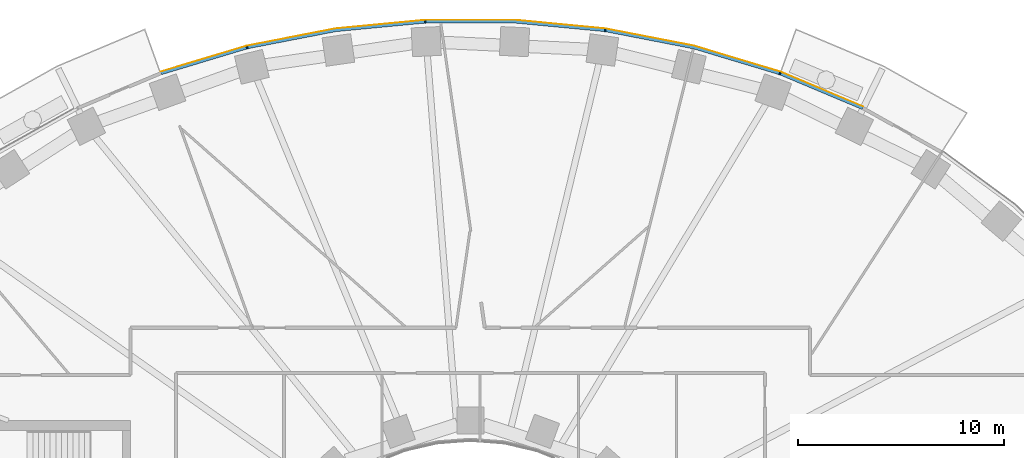
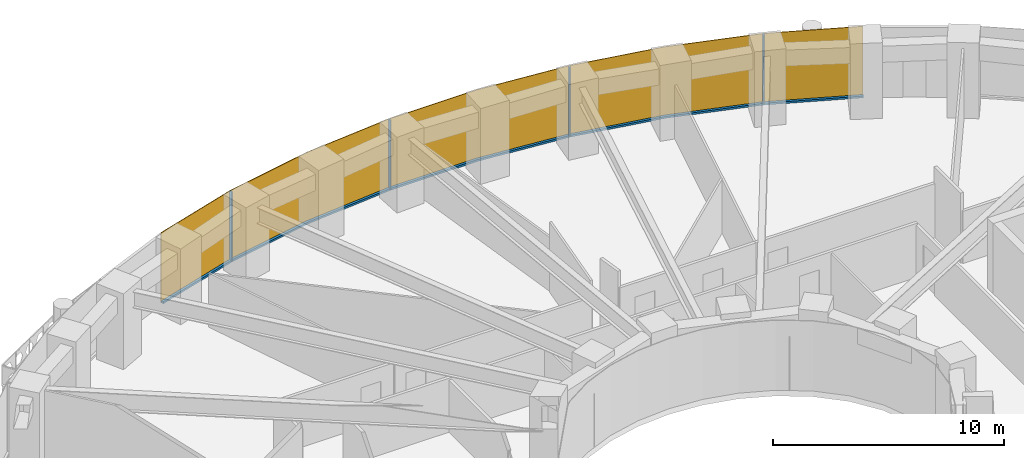
# One storey, part 12 of 15: 9 members, 1 curtain wall.
"""IFC4 building model written with IfcOpenShell, lengths in metres."""

from ifc_helpers import new_model, si_unit, direction, frame, origin, origin_2d, place, context, subcontext, project, spatial, polyline, rectangle, outline, extrude, material, layer, layer_set, material_profile, profile_set, type_object, element, aggregate, save


model = new_model("IFC4")

# Units and contexts
model_context = context("Model", 3, precision=1e-05, world=origin(), true_north=direction((0.0, 1.0)))
body_context = subcontext(model_context, "Body", "Model", "MODEL_VIEW")
ifc_project = project(units=[si_unit("LENGTHUNIT", "METRE"), si_unit("AREAUNIT", "SQUARE_METRE"), si_unit("VOLUMEUNIT", "CUBIC_METRE"), si_unit("PLANEANGLEUNIT", "RADIAN"), si_unit("MASSUNIT", "GRAM", prefix="KILO")], contexts=[model_context])

# Member
ifc_material_1 = material(Name="Aluminium 6063-T6 black anodised", Category="aluminium")
ifc_material_profile = material_profile(ifc_material_1, rectangle(XDim=0.1201171875, YDim=0.06005859375, at=origin_2d()), Name="120x60")
ifc_profile_set = profile_set([ifc_material_profile], Name="Aluminium 6063-T6 black anodised")
member_type_1 = type_object("IfcMemberType", Name="ENV-MULLION-A-120", PredefinedType="MULLION", material=ifc_profile_set)
site_placement = place(None, origin())
building_placement = place(site_placement, origin())
storey_placement = place(building_placement, frame((0.0, 0.0, 62.5)))
member_1_placement = place(storey_placement, frame((15.0341796875, 25.34375, 0.0), z_axis=(0.0, 0.0, 1.0), x_axis=(-0.338379256581, -0.941009818608, 0.0)))
member_1 = element("IfcMember", 1, at=member_1_placement, type_object=member_type_1, Name="Mullion A radial 09", PredefinedType="MULLION", context=body_context, shape_type="SweptSolid", body=[
    extrude(rectangle(XDim=0.1201171875, YDim=0.06005859375, at=origin_2d()), origin(), (0.0, 0.0, 1.0), 3.699951171875),
])

member_2_placement = place(storey_placement, frame((6.54638671875, 27.440185546875, 0.0), z_axis=(0.0, 0.0, 1.0), x_axis=(-0.143082012705, -0.989710835366, 0.0)))
member_2 = element("IfcMember", 2, at=member_2_placement, type_object=member_type_1, Name="Mullion A radial 11", PredefinedType="MULLION", context=body_context, shape_type="SweptSolid", body=[
    extrude(rectangle(XDim=0.1201171875, YDim=0.06005859375, at=origin_2d()), origin(), (0.0, 0.0, 1.0), 3.699951171875),
])

member_3_placement = place(storey_placement, frame((-2.188720703125, 27.856201171875, 0.0), z_axis=(0.0, 0.0, 1.0), x_axis=(0.047557873581, -0.998868484166, 0.0)))
member_3 = element("IfcMember", 3, at=member_3_placement, type_object=member_type_1, Name="Mullion A radial 13", PredefinedType="MULLION", context=body_context, shape_type="SweptSolid", body=[
    extrude(rectangle(XDim=0.1201171875, YDim=0.06005859375, at=origin_2d()), origin(), (0.0, 0.0, 1.0), 3.699951171875),
])

member_4_placement = place(storey_placement, frame((-10.84326171875, 26.60498046875, 0.0), z_axis=(0.0, 0.0, 1.0), x_axis=(0.239799081534, -0.970822538106, 0.0)))
member_4 = element("IfcMember", 4, at=member_4_placement, type_object=member_type_1, Name="Mullion A radial 15", PredefinedType="MULLION", context=body_context, shape_type="SweptSolid", body=[
    extrude(rectangle(XDim=0.1201171875, YDim=0.06005859375, at=origin_2d()), origin(), (0.0, 0.0, 1.0), 3.699951171875),
])

ifc_material_2 = material(Name="Aluminium 6063-T6 black anodised", Category="aluminium")
member_type_2 = type_object("IfcMemberType", Name="ENV-TRANSOM-A", PredefinedType="USERDEFINED", material=ifc_material_2)
member_5_placement = place(storey_placement, origin())
member_5 = element("IfcMember", 5, at=member_5_placement, type_object=member_type_2, Name="Transom A radial 08-09", ObjectType="TRANSOM", PredefinedType="USERDEFINED", context=body_context, shape_type="SweptSolid", body=[
    extrude(outline(polyline([(19.07568359375, 23.709228515625), (15.080322265625, 25.389404296875), (15.03955078125, 25.276123046875), (19.02294921875, 23.601318359375), (19.07568359375, 23.709228515625)])), origin(), (0.0, 0.0, 1.0), 0.10009765625),
])

member_6_placement = place(storey_placement, origin())
member_6 = element("IfcMember", 6, at=member_6_placement, type_object=member_type_2, Name="Transom A radial 09-11", ObjectType="TRANSOM", PredefinedType="USERDEFINED", context=body_context, shape_type="SweptSolid", body=[
    extrude(outline(polyline([(15.027587890625, 25.408203125), (10.857666015625, 26.6630859375), (6.58251953125, 27.494140625), (6.5654296875, 27.375244140625), (10.828857421875, 26.54638671875), (14.987060546875, 25.295166015625), (15.027587890625, 25.408203125)])), origin(), (0.0, 0.0, 1.0), 0.10009765625),
])

member_7_placement = place(storey_placement, origin())
member_7 = element("IfcMember", 7, at=member_7_placement, type_object=member_type_2, Name="Transom A radial 11-13", ObjectType="TRANSOM", PredefinedType="USERDEFINED", context=body_context, shape_type="SweptSolid", body=[
    extrude(outline(polyline([(6.527099609375, 27.502197265625), (2.191650390625, 27.916015625), (-2.163818359375, 27.916015625), (-2.157958984375, 27.7958984375), (2.185791015625, 27.7958984375), (6.510009765625, 27.38330078125), (6.527099609375, 27.502197265625)])), origin(), (0.0, 0.0, 1.0), 0.10009765625),
])

member_8_placement = place(storey_placement, origin())
member_8 = element("IfcMember", 8, at=member_8_placement, type_object=member_type_2, Name="Transom A radial 13-15", ObjectType="TRANSOM", PredefinedType="USERDEFINED", context=body_context, shape_type="SweptSolid", body=[
    extrude(outline(polyline([(-2.219482421875, 27.913330078125), (-6.55517578125, 27.49951171875), (-10.830078125, 26.66845703125), (-10.80126953125, 26.552001953125), (-6.537841796875, 27.380615234375), (-2.2138671875, 27.793212890625), (-2.219482421875, 27.913330078125)])), origin(), (0.0, 0.0, 1.0), 0.10009765625),
])

member_9_placement = place(storey_placement, origin())
member_9 = element("IfcMember", 9, at=member_9_placement, type_object=member_type_2, Name="Transom A radial 15-16", ObjectType="TRANSOM", PredefinedType="USERDEFINED", context=body_context, shape_type="SweptSolid", body=[
    extrude(outline(polyline([(-10.884521484375, 26.655029296875), (-15.035400390625, 25.406005859375), (-14.99462890625, 25.292724609375), (-10.855712890625, 26.53857421875), (-10.884521484375, 26.655029296875)])), origin(), (0.0, 0.0, 1.0), 0.10009765625),
])

# Site, building, storey
site = spatial("IfcSite", under=ifc_project, at=site_placement, CompositionType="ELEMENT")
building = spatial("IfcBuilding", under=site, at=building_placement, Name="Noorbagh Ring Tower", CompositionType="ELEMENT")
storey = spatial("IfcBuildingStorey", under=building, at=storey_placement, Name="L13", CompositionType="ELEMENT", Elevation=62.5)

# Curtain wall
ifc_material_3 = material(Name="Glass dark tinted laminated", Category="glass")
ifc_layer = layer(ifc_material_3, 0.031982421875)
ifc_layer_set = layer_set([ifc_layer], Name="Glass dark tinted laminated")
curtain_wall_type = type_object("IfcCurtainWallType", Name="ENV-CW-A", PredefinedType="NOTDEFINED", material=ifc_layer_set)
curtain_wall_placement = place(storey_placement, origin())
curtain_wall = element("IfcCurtainWall", 10, at=curtain_wall_placement, inside=storey, type_object=curtain_wall_type, Name="Curtain wall A R08", PredefinedType="NOTDEFINED", context=body_context, shape_type="SweptSolid", body=[
    extrude(outline(polyline([(19.08984375, 23.738037109375), (15.065185546875, 25.430419921875), (10.865234375, 26.6943359375), (6.559814453125, 27.53125), (2.193115234375, 27.947998046875), (-2.193115234375, 27.947998046875), (-6.559814453125, 27.53125), (-10.865234375, 26.6943359375), (-15.046142578125, 25.43603515625), (-15.035400390625, 25.406005859375), (-10.857666015625, 26.6630859375), (-6.55517578125, 27.49951171875), (-2.191650390625, 27.916015625), (2.191650390625, 27.916015625), (6.55517578125, 27.49951171875), (10.857666015625, 26.6630859375), (15.054443359375, 25.400146484375), (19.07568359375, 23.709228515625), (19.08984375, 23.738037109375)])), origin(), (0.0, 0.0, 1.0), 3.699951171875),
])

aggregate(curtain_wall, [member_1, member_2, member_3, member_4, member_5, member_6, member_7, member_8, member_9])

save(model, "model.ifc")
